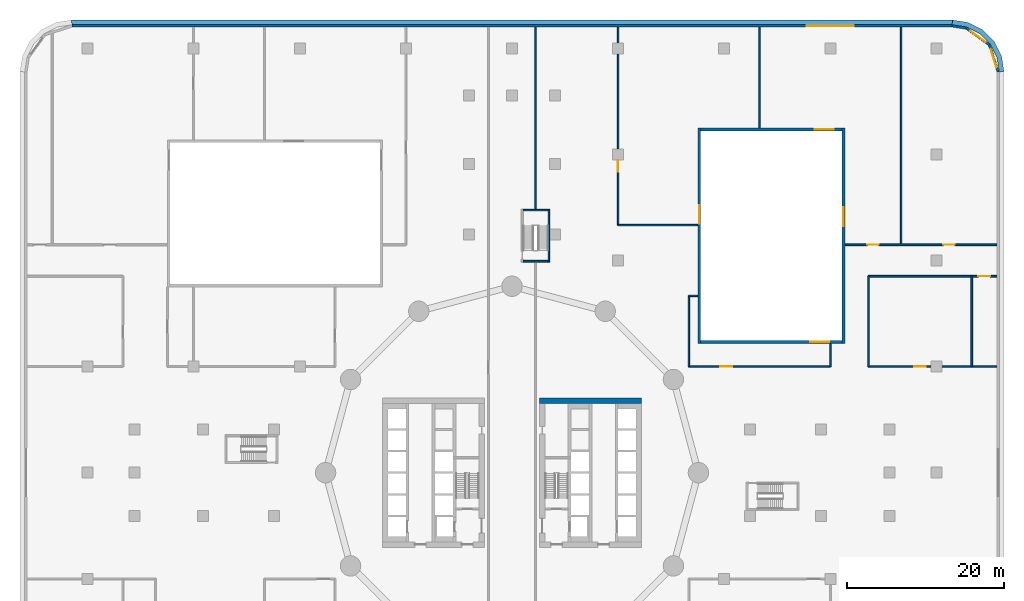
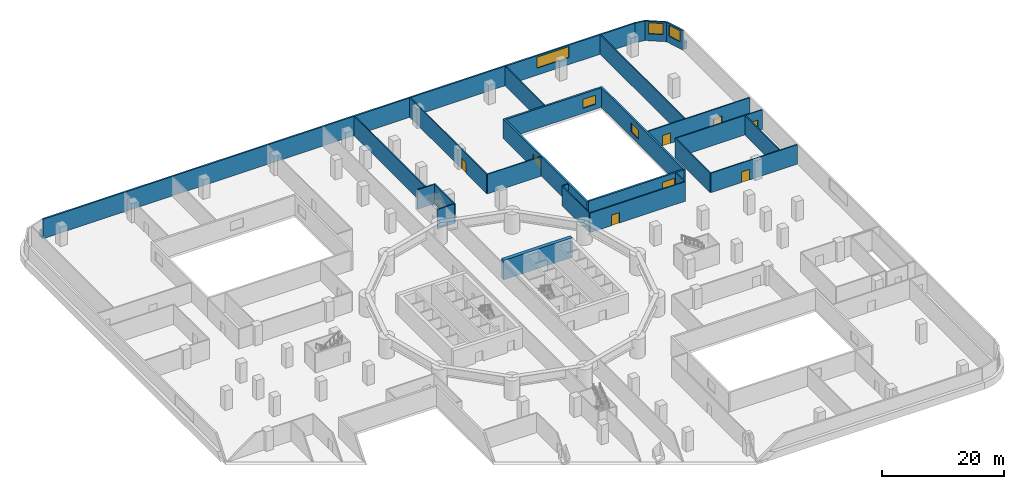
# One storey, part 11 of 16: 26 walls, 7 windows, 6 doors, 2 members, 13 openings.
"""IFC4 building model written with IfcOpenShell, lengths in metres."""

from ifc_helpers import new_model, si_unit, direction, frame, frame_2d, origin, place, context, subcontext, project, spatial, polyline, rectangle, outline, extrude, material, layer, layer_set, type_object, element, fill, aggregate, save


model = new_model("IFC4")

# Units and contexts
model_context = context("Model", 3, precision=1e-05, world=origin(), true_north=direction((0.0, 1.0)))
body_context = subcontext(model_context, "Body", "Model", "MODEL_VIEW")
ifc_project = project(units=[si_unit("LENGTHUNIT", "METRE"), si_unit("AREAUNIT", "SQUARE_METRE"), si_unit("VOLUMEUNIT", "CUBIC_METRE"), si_unit("PLANEANGLEUNIT", "RADIAN"), si_unit("MASSUNIT", "GRAM", prefix="KILO")], contexts=[model_context])

# Member
ifc_material_1 = material(Name="Aluminium and insulated spandrel panel", Category="aluminium")
member_type = type_object("IfcMemberType", Name="Floor-edge blade transom", PredefinedType="USERDEFINED", material=ifc_material_1)
site_placement = place(None, origin())
building_placement = place(site_placement, origin())
storey_placement = place(building_placement, frame((0.0, 0.0, 25.0)))
member_1_placement = place(storey_placement, origin())
member_1 = element("IfcMember", 1, at=member_1_placement, type_object=member_type, Name="CWT-L04-01", ObjectType="TRANSOM", PredefinedType="USERDEFINED", context=body_context, shape_type="SweptSolid", body=[
    extrude(outline(polyline([(62.0, 51.0), (61.706298828125, 52.85400390625), (60.85400390625, 54.526611328125), (59.526611328125, 55.85400390625), (57.85400390625, 56.706298828125), (56.0, 57.0), (56.047119140625, 57.60009765625), (58.041748046875, 57.2841796875), (59.8837890625, 56.345458984375), (61.345458984375, 54.8837890625), (62.2841796875, 53.041748046875), (62.60009765625, 51.047119140625), (62.0, 51.0)])), origin(), (0.0, 0.0, 1.0), 1.39990234375),
])

member_2_placement = place(storey_placement, origin())
member_2 = element("IfcMember", 2, at=member_2_placement, type_object=member_type, Name="CWT-L04-02", ObjectType="TRANSOM", PredefinedType="USERDEFINED", context=body_context, shape_type="SweptSolid", body=[
    extrude(outline(polyline([(56.0, 57.0), (-56.0, 57.0), (-56.047119140625, 57.60009765625), (56.047119140625, 57.60009765625), (56.0, 57.0)])), origin(), (0.0, 0.0, 1.0), 1.39990234375),
])

# Site, building, storey
site = spatial("IfcSite", under=ifc_project, at=site_placement, CompositionType="ELEMENT")
building = spatial("IfcBuilding", under=site, at=building_placement, Name="Tamarind Cross Interchange Tower", CompositionType="ELEMENT")
storey = spatial("IfcBuildingStorey", under=building, at=storey_placement, Name="L04", CompositionType="ELEMENT", Elevation=25.0)

# Walls
ifc_material_2 = material(Name="Concrete C80", Category="concrete")
ifc_layer_1 = layer(ifc_material_2, 0.699951171875)
ifc_layer_set_1 = layer_set([ifc_layer_1], Name="Concrete C80")
wall_type_1 = type_object("IfcWallType", Name="Core wall 700 mm Concrete C80", PredefinedType="SHEAR", material=ifc_layer_set_1)
wall_1_placement = place(storey_placement, frame((16.5, 9.14990234375, 0.0), z_axis=(0.0, 0.0, 1.0), x_axis=(-1.0, 0.0, 0.0)))
element("IfcWall", 3, at=wall_1_placement, inside=storey, type_object=wall_type_1, Name="Core wall CWL-L04-E-NE", PredefinedType="SHEAR", context=body_context, shape_type="SweptSolid", body=[
    extrude(rectangle(XDim=13.0, YDim=0.699951171875, at=frame_2d((6.5, 0.0))), origin(), (0.0, 0.0, 1.0), 3.89990234375),
])
ifc_material_3 = material(Name="Masonry partition, fire-rated", Category="masonry")
ifc_layer_2 = layer(ifc_material_3, 0.199951171875)
ifc_layer_set_2 = layer_set([ifc_layer_2], Name="Masonry partition, fire-rated")
wall_type_2 = type_object("IfcWallType", Name="Fire partition 200 EI 120", PredefinedType="PARTITIONING", material=ifc_layer_set_2)
wall_2_placement = place(storey_placement, frame((3.0, 33.530029296875, 0.0), z_axis=(0.0, 0.0, 1.0), x_axis=(0.0, 1.0, 0.0)))
element("IfcWall", 4, at=wall_2_placement, inside=storey, type_object=wall_type_2, Name="L04 partition 34", PredefinedType="PARTITIONING", context=body_context, shape_type="SweptSolid", body=[
    extrude(rectangle(XDim=23.1689453125, YDim=0.199951171875, at=frame_2d((11.58447265625, 0.0))), origin(), (0.0, 0.0, 1.0), 3.89990234375),
])
wall_3_placement = place(storey_placement, frame((13.5, 31.5, 0.0), z_axis=(0.0, 0.0, 1.0), x_axis=(1.0, 0.0, 0.0)))
element("IfcWall", 5, at=wall_3_placement, inside=storey, type_object=wall_type_2, Name="L04 partition 37", PredefinedType="PARTITIONING", context=body_context, shape_type="SweptSolid", body=[
    extrude(rectangle(XDim=10.1201171875, YDim=0.199951171875, at=frame_2d((5.06005859375, 0.0))), origin(), (0.0, 0.0, 1.0), 3.89990234375),
])

# Wall, opening, door
wall_4_placement = place(storey_placement, frame((13.5, 31.5, 0.0), z_axis=(0.0, 0.0, 1.0), x_axis=(0.0, 1.0, 0.0)))
wall_4 = element("IfcWall", 6, at=wall_4_placement, inside=storey, type_object=wall_type_2, Name="L04 partition 38", PredefinedType="PARTITIONING", context=body_context, shape_type="SweptSolid", body=[
    extrude(rectangle(XDim=25.198974609375, YDim=0.199951171875, at=frame_2d((12.599609375, 0.0))), origin(), (0.0, 0.0, 1.0), 3.89990234375),
])
opening_1_placement = place(wall_4_placement, frame((6.77490234375, 0.0, 0.0)))
opening_1 = element("IfcOpeningElement", 7, at=opening_1_placement, cuts=wall_4, Name="Opening DL04-04", PredefinedType="OPENING", context=body_context, shape_type="SweptSolid", body=[
    extrude(rectangle(XDim=1.5, YDim=2.10009765625, at=frame_2d((0.75, 1.050048828125))), frame((0.0, 0.10986328125, 0.0), z_axis=(0.0, -1.0, 0.0), x_axis=(1.0, 0.0, 0.0)), (0.0, 0.0, 1.0), 0.219970703125),
])
ifc_material_4 = material(Name="Steel, fire-resisting", Category="steel")
door_type_1 = type_object("IfcDoorType", Name="Podium door 1500 x 2100 FD90", OperationType="SINGLE_SWING_LEFT", PredefinedType="DOOR", material=ifc_material_4)
door_1_placement = place(opening_1_placement, origin())
door_1 = element("IfcDoor", 8, at=door_1_placement, inside=storey, type_object=door_type_1, Name="L04 door Generator Room 0404", OperationType="SINGLE_SWING_RIGHT", OverallHeight=2.10009765625, OverallWidth=1.5, PredefinedType="DOOR", context=body_context, shape_type="SweptSolid", body=[
    extrude(rectangle(XDim=1.5, YDim=2.10009765625, at=frame_2d((0.75, 1.050048828125))), frame((0.0, 0.02490234375, 0.0), z_axis=(0.0, -1.0, 0.0), x_axis=(1.0, 0.0, 0.0)), (0.0, 0.0, 1.0), 0.050048828125),
])
fill(opening_1, door_1)

# Wall
wall_5_placement = place(storey_placement, frame((40.5, 13.5, 0.0), z_axis=(0.0, 0.0, 1.0), x_axis=(0.0, 1.0, 0.0)))
element("IfcWall", 9, at=wall_5_placement, inside=storey, type_object=wall_type_2, Name="L04 partition 42", PredefinedType="PARTITIONING", context=body_context, shape_type="SweptSolid", body=[
    extrude(rectangle(XDim=2.919921875, YDim=0.199951171875, at=frame_2d((1.4599609375, 0.0))), origin(), (0.0, 0.0, 1.0), 3.89990234375),
])

# Wall, opening, door
wall_6_placement = place(storey_placement, frame((22.5, 13.5, 0.0), z_axis=(0.0, 0.0, 1.0), x_axis=(1.0, 0.0, 0.0)))
wall_6 = element("IfcWall", 10, at=wall_6_placement, inside=storey, type_object=wall_type_2, Name="L04 partition 43", PredefinedType="PARTITIONING", context=body_context, shape_type="SweptSolid", body=[
    extrude(rectangle(XDim=18.0, YDim=0.199951171875, at=frame_2d((9.0, 0.0))), origin(), (0.0, 0.0, 1.0), 3.89990234375),
])
opening_2_placement = place(wall_6_placement, frame((4.01904296875, 0.0, 0.0)))
opening_2 = element("IfcOpeningElement", 11, at=opening_2_placement, cuts=wall_6, Name="Opening DL04-02", PredefinedType="OPENING", context=body_context, shape_type="SweptSolid", body=[
    extrude(rectangle(XDim=1.5, YDim=2.10009765625, at=frame_2d((0.75, 1.050048828125))), frame((0.0, 0.10986328125, 0.0), z_axis=(0.0, -1.0, 0.0), x_axis=(1.0, 0.0, 0.0)), (0.0, 0.0, 1.0), 0.219970703125),
])
door_type_2 = type_object("IfcDoorType", Name="Podium door 1500 x 2100 FD60", OperationType="SINGLE_SWING_LEFT", PredefinedType="DOOR", material=ifc_material_4)
door_2_placement = place(opening_2_placement, origin())
door_2 = element("IfcDoor", 12, at=door_2_placement, inside=storey, type_object=door_type_2, Name="L04 door Pump Room 0401", OperationType="SINGLE_SWING_RIGHT", OverallHeight=2.10009765625, OverallWidth=1.5, PredefinedType="DOOR", context=body_context, shape_type="SweptSolid", body=[
    extrude(rectangle(XDim=1.5, YDim=2.10009765625, at=frame_2d((0.75, 1.050048828125))), frame((0.0, 0.02490234375, 0.0), z_axis=(0.0, -1.0, 0.0), x_axis=(1.0, 0.0, 0.0)), (0.0, 0.0, 1.0), 0.050048828125),
])
fill(opening_2, door_2)

# Walls
wall_7_placement = place(storey_placement, frame((22.5, 13.5, 0.0), z_axis=(0.0, 0.0, 1.0), x_axis=(0.0, 1.0, 0.0)))
element("IfcWall", 13, at=wall_7_placement, inside=storey, type_object=wall_type_2, Name="L04 partition 44", PredefinedType="PARTITIONING", context=body_context, shape_type="SweptSolid", body=[
    extrude(rectangle(XDim=9.0, YDim=0.199951171875, at=frame_2d((4.5, 0.0))), origin(), (0.0, 0.0, 1.0), 3.89990234375),
])
wall_8_placement = place(storey_placement, frame((22.5, 22.5, 0.0), z_axis=(0.0, 0.0, 1.0), x_axis=(1.0, 0.0, 0.0)))
element("IfcWall", 14, at=wall_8_placement, inside=storey, type_object=wall_type_2, Name="L04 partition 45", PredefinedType="PARTITIONING", context=body_context, shape_type="SweptSolid", body=[
    extrude(rectangle(XDim=1.1201171875, YDim=0.199951171875, at=frame_2d((0.56005859375, 0.0))), origin(), (0.0, 0.0, 1.0), 3.89990234375),
])
wall_9_placement = place(storey_placement, frame((31.5, 43.8798828125, 0.0), z_axis=(0.0, 0.0, 1.0), x_axis=(0.0, 1.0, 0.0)))
element("IfcWall", 15, at=wall_9_placement, inside=storey, type_object=wall_type_2, Name="L04 partition 47", PredefinedType="PARTITIONING", context=body_context, shape_type="SweptSolid", body=[
    extrude(rectangle(XDim=12.819091796875, YDim=0.199951171875, at=frame_2d((6.40966796875, 0.0))), origin(), (0.0, 0.0, 1.0), 3.89990234375),
])

# Wall, openings, doors
wall_10_placement = place(storey_placement, frame((42.3798828125, 29.0, 0.0), z_axis=(0.0, 0.0, 1.0), x_axis=(1.0, 0.0, 0.0)))
wall_10 = element("IfcWall", 16, at=wall_10_placement, inside=storey, type_object=wall_type_2, Name="L04 partition 49", PredefinedType="PARTITIONING", context=body_context, shape_type="SweptSolid", body=[
    extrude(rectangle(XDim=19.319091796875, YDim=0.199951171875, at=frame_2d((9.65966796875, 0.0))), origin(), (0.0, 0.0, 1.0), 3.89990234375),
])
opening_3_placement = place(wall_10_placement, frame((2.794921875, 0.0, 0.0)))
opening_3 = element("IfcOpeningElement", 17, at=opening_3_placement, cuts=wall_10, Name="Opening DL04-05", PredefinedType="OPENING", context=body_context, shape_type="SweptSolid", body=[
    extrude(rectangle(XDim=1.5, YDim=2.10009765625, at=frame_2d((0.75, 1.050048828125))), frame((0.0, 0.10986328125, 0.0), z_axis=(0.0, -1.0, 0.0), x_axis=(1.0, 0.0, 0.0)), (0.0, 0.0, 1.0), 0.219970703125),
])
opening_4_placement = place(wall_10_placement, frame((12.469970703125, 0.0, 0.0)))
opening_4 = element("IfcOpeningElement", 18, at=opening_4_placement, cuts=wall_10, Name="Opening DL04-06", PredefinedType="OPENING", context=body_context, shape_type="SweptSolid", body=[
    extrude(rectangle(XDim=1.5, YDim=2.10009765625, at=frame_2d((0.75, 1.050048828125))), frame((0.0, 0.10986328125, 0.0), z_axis=(0.0, -1.0, 0.0), x_axis=(1.0, 0.0, 0.0)), (0.0, 0.0, 1.0), 0.219970703125),
])
door_3_placement = place(opening_3_placement, origin())
door_3 = element("IfcDoor", 19, at=door_3_placement, inside=storey, type_object=door_type_2, Name="L04 door Battery Room 0405", OperationType="SINGLE_SWING_LEFT", OverallHeight=2.10009765625, OverallWidth=1.5, PredefinedType="DOOR", context=body_context, shape_type="SweptSolid", body=[
    extrude(rectangle(XDim=1.5, YDim=2.10009765625, at=frame_2d((0.75, 1.050048828125))), frame((0.0, 0.02490234375, 0.0), z_axis=(0.0, -1.0, 0.0), x_axis=(1.0, 0.0, 0.0)), (0.0, 0.0, 1.0), 0.050048828125),
])
fill(opening_3, door_3)
door_4_placement = place(opening_4_placement, origin())
door_4 = element("IfcDoor", 20, at=door_4_placement, inside=storey, type_object=door_type_1, Name="L04 door Chiller Plant Room 0406", OperationType="SINGLE_SWING_RIGHT", OverallHeight=2.10009765625, OverallWidth=1.5, PredefinedType="DOOR", context=body_context, shape_type="SweptSolid", body=[
    extrude(rectangle(XDim=1.5, YDim=2.10009765625, at=frame_2d((0.75, 1.050048828125))), frame((0.0, 0.02490234375, 0.0), z_axis=(0.0, -1.0, 0.0), x_axis=(1.0, 0.0, 0.0)), (0.0, 0.0, 1.0), 0.050048828125),
])
fill(opening_4, door_4)

# Walls
wall_11_placement = place(storey_placement, frame((49.5, 29.0, 0.0), z_axis=(0.0, 0.0, 1.0), x_axis=(0.0, 1.0, 0.0)))
element("IfcWall", 21, at=wall_11_placement, inside=storey, type_object=wall_type_2, Name="L04 partition 51", PredefinedType="PARTITIONING", context=body_context, shape_type="SweptSolid", body=[
    extrude(rectangle(XDim=27.698974609375, YDim=0.199951171875, at=frame_2d((13.849609375, 0.0))), origin(), (0.0, 0.0, 1.0), 3.89990234375),
])
wall_12_placement = place(storey_placement, frame((58.5, 13.5, 0.0), z_axis=(0.0, 0.0, 1.0), x_axis=(0.0, 1.0, 0.0)))
element("IfcWall", 22, at=wall_12_placement, inside=storey, type_object=wall_type_2, Name="L04 partition 56", PredefinedType="PARTITIONING", context=body_context, shape_type="SweptSolid", body=[
    extrude(rectangle(XDim=11.5, YDim=0.199951171875, at=frame_2d((5.75, 0.0))), origin(), (0.0, 0.0, 1.0), 3.89990234375),
])

# Wall, opening, door
wall_13_placement = place(storey_placement, frame((45.35009765625, 13.5, 0.0), z_axis=(0.0, 0.0, 1.0), x_axis=(1.0, 0.0, 0.0)))
wall_13 = element("IfcWall", 23, at=wall_13_placement, inside=storey, type_object=wall_type_2, Name="L04 partition 57", PredefinedType="PARTITIONING", context=body_context, shape_type="SweptSolid", body=[
    extrude(rectangle(XDim=16.348876953125, YDim=0.199951171875, at=frame_2d((8.17431640625, 0.0))), origin(), (0.0, 0.0, 1.0), 3.89990234375),
])
opening_5_placement = place(wall_13_placement, frame((5.824951171875, 0.0, 0.0)))
opening_5 = element("IfcOpeningElement", 24, at=opening_5_placement, cuts=wall_13, Name="Opening DL04-07", PredefinedType="OPENING", context=body_context, shape_type="SweptSolid", body=[
    extrude(rectangle(XDim=1.5, YDim=2.10009765625, at=frame_2d((0.75, 1.050048828125))), frame((0.0, 0.10986328125, 0.0), z_axis=(0.0, -1.0, 0.0), x_axis=(1.0, 0.0, 0.0)), (0.0, 0.0, 1.0), 0.219970703125),
])
door_5_placement = place(opening_5_placement, origin())
door_5 = element("IfcDoor", 25, at=door_5_placement, inside=storey, type_object=door_type_2, Name="L04 door Water Tank Room 0402", OperationType="SINGLE_SWING_LEFT", OverallHeight=2.10009765625, OverallWidth=1.5, PredefinedType="DOOR", context=body_context, shape_type="SweptSolid", body=[
    extrude(rectangle(XDim=1.5, YDim=2.10009765625, at=frame_2d((0.75, 1.050048828125))), frame((0.0, 0.02490234375, 0.0), z_axis=(0.0, -1.0, 0.0), x_axis=(1.0, 0.0, 0.0)), (0.0, 0.0, 1.0), 0.050048828125),
])
fill(opening_5, door_5)

# Wall
wall_14_placement = place(storey_placement, frame((45.35009765625, 13.5, 0.0), z_axis=(0.0, 0.0, 1.0), x_axis=(0.0, 1.0, 0.0)))
element("IfcWall", 26, at=wall_14_placement, inside=storey, type_object=wall_type_2, Name="L04 partition 58", PredefinedType="PARTITIONING", context=body_context, shape_type="SweptSolid", body=[
    extrude(rectangle(XDim=11.5, YDim=0.199951171875, at=frame_2d((5.75, 0.0))), origin(), (0.0, 0.0, 1.0), 3.89990234375),
])

# Wall, opening, door
wall_15_placement = place(storey_placement, frame((45.35009765625, 25.0, 0.0), z_axis=(0.0, 0.0, 1.0), x_axis=(1.0, 0.0, 0.0)))
wall_15 = element("IfcWall", 27, at=wall_15_placement, inside=storey, type_object=wall_type_2, Name="L04 partition 59", PredefinedType="PARTITIONING", context=body_context, shape_type="SweptSolid", body=[
    extrude(rectangle(XDim=16.348876953125, YDim=0.199951171875, at=frame_2d((8.17431640625, 0.0))), origin(), (0.0, 0.0, 1.0), 3.89990234375),
])
opening_6_placement = place(wall_15_placement, frame((14.0, 0.0, 0.0)))
opening_6 = element("IfcOpeningElement", 28, at=opening_6_placement, cuts=wall_15, Name="Opening DL04-03", PredefinedType="OPENING", context=body_context, shape_type="SweptSolid", body=[
    extrude(rectangle(XDim=1.5, YDim=2.10009765625, at=frame_2d((0.75, 1.050048828125))), frame((0.0, 0.10986328125, 0.0), z_axis=(0.0, -1.0, 0.0), x_axis=(1.0, 0.0, 0.0)), (0.0, 0.0, 1.0), 0.219970703125),
])
door_6_placement = place(opening_6_placement, origin())
door_6 = element("IfcDoor", 29, at=door_6_placement, inside=storey, type_object=door_type_2, Name="L04 door Fire Pump Room 0403", OperationType="SINGLE_SWING_LEFT", OverallHeight=2.10009765625, OverallWidth=1.5, PredefinedType="DOOR", context=body_context, shape_type="SweptSolid", body=[
    extrude(rectangle(XDim=1.5, YDim=2.10009765625, at=frame_2d((0.75, 1.050048828125))), frame((0.0, 0.02490234375, 0.0), z_axis=(0.0, -1.0, 0.0), x_axis=(1.0, 0.0, 0.0)), (0.0, 0.0, 1.0), 0.050048828125),
])
fill(opening_6, door_6)

# Wall, opening, window
ifc_material_5 = material(Name="Precast concrete C40", Category="concrete")
ifc_layer_3 = layer(ifc_material_5, 0.300048828125)
ifc_layer_set_3 = layer_set([ifc_layer_3], Name="Precast concrete C40")
wall_type_3 = type_object("IfcWallType", Name="Plant louvre wall", PredefinedType="SOLIDWALL", material=ifc_layer_set_3)
wall_16_placement = place(storey_placement, frame((61.85009765625, 50.98828125, 0.0), z_axis=(0.0, 0.0, 1.0), x_axis=(-0.308562324189, 0.951204127457, 0.0)))
wall_16 = element("IfcWall", 30, at=wall_16_placement, inside=storey, type_object=wall_type_3, Name="EXW-L04-01-00", PredefinedType="SOLIDWALL", context=body_context, shape_type="SweptSolid", body=[
    extrude(rectangle(XDim=3.626220703125, YDim=0.300048828125, at=frame_2d((1.81298828125, 0.0))), origin(), (0.0, 0.0, 1.0), 3.89990234375),
])
opening_7_placement = place(wall_16_placement, frame((0.60009765625, 0.0, 1.39990234375)))
opening_7 = element("IfcOpeningElement", 31, at=opening_7_placement, cuts=wall_16, Name="Opening W2", PredefinedType="OPENING", context=body_context, shape_type="SweptSolid", body=[
    extrude(rectangle(XDim=2.42626953125, YDim=2.199951171875, at=frame_2d((1.213134765625, 1.10009765625))), frame((0.0, 0.159912109375, 0.0), z_axis=(0.0, -1.0, 0.0), x_axis=(1.0, 0.0, 0.0)), (0.0, 0.0, 1.0), 0.320068359375),
])
ifc_material_6 = material(Name="Aluminium louvre", Category="aluminium")
window_type_1 = type_object("IfcWindowType", Name="Plant louvre bank", PartitioningType="SINGLE_PANEL", PredefinedType="WINDOW", material=ifc_material_6)
window_1_placement = place(opening_7_placement, origin())
window_1 = element("IfcWindow", 32, at=window_1_placement, inside=storey, type_object=window_type_1, Name="WIN-L04-01-00", OverallHeight=2.199951171875, OverallWidth=2.42626953125, PartitioningType="SINGLE_PANEL", PredefinedType="WINDOW", context=body_context, shape_type="SweptSolid", body=[
    extrude(rectangle(XDim=2.42626953125, YDim=2.199951171875, at=frame_2d((1.213134765625, 1.10009765625))), frame((0.0, 0.030029296875, 0.0), z_axis=(0.0, -1.0, 0.0), x_axis=(1.0, 0.0, 0.0)), (0.0, 0.0, 1.0), 0.06005859375),
])
fill(opening_7, window_1)

aggregate(wall_16, [member_1])

wall_17_placement = place(storey_placement, frame((60.731201171875, 54.4375, 0.0), z_axis=(0.0, 0.0, 1.0), x_axis=(-0.80901056566, 0.587794100557, 0.0)))
wall_17 = element("IfcWall", 33, at=wall_17_placement, inside=storey, type_object=wall_type_3, Name="EXW-L04-01-01", PredefinedType="SOLIDWALL", context=body_context, shape_type="SweptSolid", body=[
    extrude(rectangle(XDim=3.614501953125, YDim=0.300048828125, at=frame_2d((1.80712890625, 0.0))), origin(), (0.0, 0.0, 1.0), 3.89990234375),
])
opening_8_placement = place(wall_17_placement, frame((0.60009765625, 0.0, 1.39990234375)))
opening_8 = element("IfcOpeningElement", 34, at=opening_8_placement, cuts=wall_17, Name="Opening W2", PredefinedType="OPENING", context=body_context, shape_type="SweptSolid", body=[
    extrude(rectangle(XDim=2.414306640625, YDim=2.199951171875, at=frame_2d((1.20703125, 1.10009765625))), frame((0.0, 0.159912109375, 0.0), z_axis=(0.0, -1.0, 0.0), x_axis=(1.0, 0.0, 0.0)), (0.0, 0.0, 1.0), 0.320068359375),
])
window_2_placement = place(opening_8_placement, origin())
window_2 = element("IfcWindow", 35, at=window_2_placement, inside=storey, type_object=window_type_1, Name="WIN-L04-01-01", OverallHeight=2.199951171875, OverallWidth=2.414306640625, PartitioningType="SINGLE_PANEL", PredefinedType="WINDOW", context=body_context, shape_type="SweptSolid", body=[
    extrude(rectangle(XDim=2.414306640625, YDim=2.199951171875, at=frame_2d((1.20703125, 1.10009765625))), frame((0.0, 0.030029296875, 0.0), z_axis=(0.0, -1.0, 0.0), x_axis=(1.0, 0.0, 0.0)), (0.0, 0.0, 1.0), 0.06005859375),
])
fill(opening_8, window_2)

# Wall
wall_18_placement = place(storey_placement, frame((57.80712890625, 56.56201171875, 0.0), z_axis=(0.0, 0.0, 1.0), x_axis=(-0.987687604806, 0.15643911056, 0.0)))
element("IfcWall", 36, at=wall_18_placement, inside=storey, type_object=wall_type_3, Name="EXW-L04-01-02", PredefinedType="SOLIDWALL", context=body_context, shape_type="SweptSolid", body=[
    extrude(rectangle(XDim=1.841552734375, YDim=0.300048828125, at=frame_2d((0.9208984375, 0.0))), origin(), (0.0, 0.0, 1.0), 3.89990234375),
])

# Wall, opening, window
wall_19_placement = place(storey_placement, frame((55.98828125, 56.85009765625, 0.0), z_axis=(0.0, 0.0, 1.0), x_axis=(-1.0, 0.0, 0.0)))
wall_19 = element("IfcWall", 37, at=wall_19_placement, inside=storey, type_object=wall_type_3, Name="EXW-L04-02-00", PredefinedType="SOLIDWALL", context=body_context, shape_type="SweptSolid", body=[
    extrude(rectangle(XDim=111.9765625, YDim=0.300048828125, at=frame_2d((55.98828125, 0.0))), origin(), (0.0, 0.0, 1.0), 3.89990234375),
])
opening_9_placement = place(wall_19_placement, frame((12.48828125, 0.0, 1.39990234375)))
opening_9 = element("IfcOpeningElement", 38, at=opening_9_placement, cuts=wall_19, Name="Opening W2", PredefinedType="OPENING", context=body_context, shape_type="SweptSolid", body=[
    extrude(rectangle(XDim=6.0, YDim=2.199951171875, at=frame_2d((3.0, 1.10009765625))), frame((0.0, 0.159912109375, 0.0), z_axis=(0.0, -1.0, 0.0), x_axis=(1.0, 0.0, 0.0)), (0.0, 0.0, 1.0), 0.320068359375),
])
window_3_placement = place(opening_9_placement, origin())
window_3 = element("IfcWindow", 39, at=window_3_placement, inside=storey, type_object=window_type_1, Name="WIN-L04-02-00", OverallHeight=2.199951171875, OverallWidth=6.0, PartitioningType="SINGLE_PANEL", PredefinedType="WINDOW", context=body_context, shape_type="SweptSolid", body=[
    extrude(rectangle(XDim=6.0, YDim=2.199951171875, at=frame_2d((3.0, 1.10009765625))), frame((0.0, 0.030029296875, 0.0), z_axis=(0.0, -1.0, 0.0), x_axis=(1.0, 0.0, 0.0)), (0.0, 0.0, 1.0), 0.06005859375),
])
fill(opening_9, window_3)

aggregate(wall_19, [member_2])

ifc_layer_4 = layer(ifc_material_5, 0.35009765625)
ifc_layer_set_4 = layer_set([ifc_layer_4], Name="Precast concrete C40")
wall_type_4 = type_object("IfcWallType", Name="Podium facade wall", PredefinedType="SOLIDWALL", material=ifc_layer_set_4)
wall_20_placement = place(storey_placement, frame((24.0, 16.625, 0.0), z_axis=(0.0, 0.0, 1.0), x_axis=(1.0, 0.0, 0.0)))
wall_20 = element("IfcWall", 40, at=wall_20_placement, inside=storey, type_object=wall_type_4, Name="CTW-L04-NES00", PredefinedType="SOLIDWALL", context=body_context, shape_type="SweptSolid", body=[
    extrude(rectangle(XDim=18.0, YDim=0.35009765625, at=frame_2d((9.0, 0.0))), origin(), (0.0, 0.0, 1.0), 3.89990234375),
])
opening_10_placement = place(wall_20_placement, frame((13.949951171875, 0.0, 1.0)))
opening_10 = element("IfcOpeningElement", 41, at=opening_10_placement, cuts=wall_20, Name="Opening W4", PredefinedType="OPENING", context=body_context, shape_type="SweptSolid", body=[
    extrude(rectangle(XDim=2.39990234375, YDim=1.800048828125, at=frame_2d((1.199951171875, 0.89990234375))), frame((0.0, 0.18505859375, 0.0), z_axis=(0.0, -1.0, 0.0), x_axis=(1.0, 0.0, 0.0)), (0.0, 0.0, 1.0), 0.3701171875),
])
ifc_material_7 = material(Name="Aluminium and toughened glass", Category="aluminium")
window_type_2 = type_object("IfcWindowType", Name="Podium daylight window", PartitioningType="SINGLE_PANEL", PredefinedType="WINDOW", material=ifc_material_7)
window_4_placement = place(opening_10_placement, origin())
window_4 = element("IfcWindow", 42, at=window_4_placement, inside=storey, type_object=window_type_2, Name="CTX-L04-NES-01-00", OverallHeight=1.800048828125, OverallWidth=2.39990234375, PartitioningType="SINGLE_PANEL", PredefinedType="WINDOW", context=body_context, shape_type="SweptSolid", body=[
    extrude(rectangle(XDim=2.39990234375, YDim=1.800048828125, at=frame_2d((1.199951171875, 0.89990234375))), frame((0.0, 0.030029296875, 0.0), z_axis=(0.0, -1.0, 0.0), x_axis=(1.0, 0.0, 0.0)), (0.0, 0.0, 1.0), 0.06005859375),
])
fill(opening_10, window_4)

wall_21_placement = place(storey_placement, frame((24.0, 43.675048828125, 0.0), z_axis=(0.0, 0.0, 1.0), x_axis=(1.0, 0.0, 0.0)))
wall_21 = element("IfcWall", 43, at=wall_21_placement, inside=storey, type_object=wall_type_4, Name="CTW-L04-NEN00", PredefinedType="SOLIDWALL", context=body_context, shape_type="SweptSolid", body=[
    extrude(rectangle(XDim=18.0, YDim=0.35009765625, at=frame_2d((9.0, 0.0))), origin(), (0.0, 0.0, 1.0), 3.89990234375),
])
opening_11_placement = place(wall_21_placement, frame((14.550048828125, 0.0, 1.0)))
opening_11 = element("IfcOpeningElement", 44, at=opening_11_placement, cuts=wall_21, Name="Opening W4", PredefinedType="OPENING", context=body_context, shape_type="SweptSolid", body=[
    extrude(rectangle(XDim=2.39990234375, YDim=1.800048828125, at=frame_2d((1.199951171875, 0.89990234375))), frame((0.0, 0.18505859375, 0.0), z_axis=(0.0, -1.0, 0.0), x_axis=(1.0, 0.0, 0.0)), (0.0, 0.0, 1.0), 0.3701171875),
])
window_5_placement = place(opening_11_placement, origin())
window_5 = element("IfcWindow", 45, at=window_5_placement, inside=storey, type_object=window_type_2, Name="CTX-L04-NEN-01-00", OverallHeight=1.800048828125, OverallWidth=2.39990234375, PartitioningType="SINGLE_PANEL", PredefinedType="WINDOW", context=body_context, shape_type="SweptSolid", body=[
    extrude(rectangle(XDim=2.39990234375, YDim=1.800048828125, at=frame_2d((1.199951171875, 0.89990234375))), frame((0.0, 0.030029296875, 0.0), z_axis=(0.0, -1.0, 0.0), x_axis=(1.0, 0.0, 0.0)), (0.0, 0.0, 1.0), 0.06005859375),
])
fill(opening_11, window_5)

wall_22_placement = place(storey_placement, frame((23.824951171875, 16.449951171875, 0.0), z_axis=(0.0, 0.0, 1.0), x_axis=(0.0, 1.0, 0.0)))
wall_22 = element("IfcWall", 46, at=wall_22_placement, inside=storey, type_object=wall_type_4, Name="CTW-L04-NEW00", PredefinedType="SOLIDWALL", context=body_context, shape_type="SweptSolid", body=[
    extrude(rectangle(XDim=27.400146484375, YDim=0.35009765625, at=frame_2d((13.7001953125, 0.0))), origin(), (0.0, 0.0, 1.0), 3.89990234375),
])
opening_12_placement = place(wall_22_placement, frame((15.199951171875, 0.0, 1.0)))
opening_12 = element("IfcOpeningElement", 47, at=opening_12_placement, cuts=wall_22, Name="Opening W4", PredefinedType="OPENING", context=body_context, shape_type="SweptSolid", body=[
    extrude(rectangle(XDim=2.39990234375, YDim=1.800048828125, at=frame_2d((1.199951171875, 0.89990234375))), frame((0.0, 0.18505859375, 0.0), z_axis=(0.0, -1.0, 0.0), x_axis=(1.0, 0.0, 0.0)), (0.0, 0.0, 1.0), 0.3701171875),
])
window_6_placement = place(opening_12_placement, origin())
window_6 = element("IfcWindow", 48, at=window_6_placement, inside=storey, type_object=window_type_2, Name="CTX-L04-NEW-01-00", OverallHeight=1.800048828125, OverallWidth=2.39990234375, PartitioningType="SINGLE_PANEL", PredefinedType="WINDOW", context=body_context, shape_type="SweptSolid", body=[
    extrude(rectangle(XDim=2.39990234375, YDim=1.800048828125, at=frame_2d((1.199951171875, 0.89990234375))), frame((0.0, 0.030029296875, 0.0), z_axis=(0.0, -1.0, 0.0), x_axis=(1.0, 0.0, 0.0)), (0.0, 0.0, 1.0), 0.06005859375),
])
fill(opening_12, window_6)

wall_23_placement = place(storey_placement, frame((42.175048828125, 16.449951171875, 0.0), z_axis=(0.0, 0.0, 1.0), x_axis=(0.0, 1.0, 0.0)))
wall_23 = element("IfcWall", 49, at=wall_23_placement, inside=storey, type_object=wall_type_4, Name="CTW-L04-NEE00", PredefinedType="SOLIDWALL", context=body_context, shape_type="SweptSolid", body=[
    extrude(rectangle(XDim=27.400146484375, YDim=0.35009765625, at=frame_2d((13.7001953125, 0.0))), origin(), (0.0, 0.0, 1.0), 3.89990234375),
])
opening_13_placement = place(wall_23_placement, frame((14.89990234375, 0.0, 1.0)))
opening_13 = element("IfcOpeningElement", 50, at=opening_13_placement, cuts=wall_23, Name="Opening W4", PredefinedType="OPENING", context=body_context, shape_type="SweptSolid", body=[
    extrude(rectangle(XDim=2.39990234375, YDim=1.800048828125, at=frame_2d((1.199951171875, 0.89990234375))), frame((0.0, 0.18505859375, 0.0), z_axis=(0.0, -1.0, 0.0), x_axis=(1.0, 0.0, 0.0)), (0.0, 0.0, 1.0), 0.3701171875),
])
window_7_placement = place(opening_13_placement, origin())
window_7 = element("IfcWindow", 51, at=window_7_placement, inside=storey, type_object=window_type_2, Name="CTX-L04-NEE-01-00", OverallHeight=1.800048828125, OverallWidth=2.39990234375, PartitioningType="SINGLE_PANEL", PredefinedType="WINDOW", context=body_context, shape_type="SweptSolid", body=[
    extrude(rectangle(XDim=2.39990234375, YDim=1.800048828125, at=frame_2d((1.199951171875, 0.89990234375))), frame((0.0, 0.030029296875, 0.0), z_axis=(0.0, -1.0, 0.0), x_axis=(1.0, 0.0, 0.0)), (0.0, 0.0, 1.0), 0.06005859375),
])
fill(opening_13, window_7)

# Walls
ifc_material_8 = material(Name="Concrete C40", Category="concrete")
ifc_layer_5 = layer(ifc_material_8, 0.199951171875)
ifc_layer_set_5 = layer_set([ifc_layer_5], Name="Concrete C40")
wall_type_5 = type_object("IfcWallType", Name="Stair shaft wall 200 mm Concrete C40", PredefinedType="SHEAR", material=ifc_layer_set_5)
wall_24_placement = place(storey_placement, frame((4.699951171875, 26.800048828125, 0.0), z_axis=(0.0, 0.0, 1.0), x_axis=(0.0, 1.0, 0.0)))
element("IfcWall", 52, at=wall_24_placement, inside=storey, type_object=wall_type_5, Name="Core wall CWL-L04-ST4-C", PredefinedType="SHEAR", context=body_context, shape_type="SweptSolid", body=[
    extrude(rectangle(XDim=6.699951171875, YDim=0.199951171875, at=frame_2d((3.35009765625, 0.0))), origin(), (0.0, 0.0, 1.0), 3.89990234375),
])
wall_25_placement = place(storey_placement, frame((4.60009765625, 26.89990234375, 0.0), z_axis=(0.0, 0.0, 1.0), x_axis=(-1.0, 0.0, 0.0)))
element("IfcWall", 53, at=wall_25_placement, inside=storey, type_object=wall_type_5, Name="Core wall CWL-L04-ST4-CE", PredefinedType="SHEAR", context=body_context, shape_type="SweptSolid", body=[
    extrude(rectangle(XDim=3.2001953125, YDim=0.199951171875, at=frame_2d((1.60009765625, 0.0))), origin(), (0.0, 0.0, 1.0), 3.89990234375),
])
wall_26_placement = place(storey_placement, origin())
element("IfcWall", 54, at=wall_26_placement, inside=storey, type_object=wall_type_5, Name="Core wall CWL-L04-ST4-CF", PredefinedType="SHEAR", context=body_context, shape_type="SweptSolid", body=[
    extrude(outline(polyline([(4.60009765625, 33.300048828125), (4.60009765625, 33.5), (1.39990234375, 33.5), (1.39990234375, 33.300048828125), (4.60009765625, 33.300048828125)])), origin(), (0.0, 0.0, 1.0), 3.89990234375),
])

save(model, "model.ifc")
